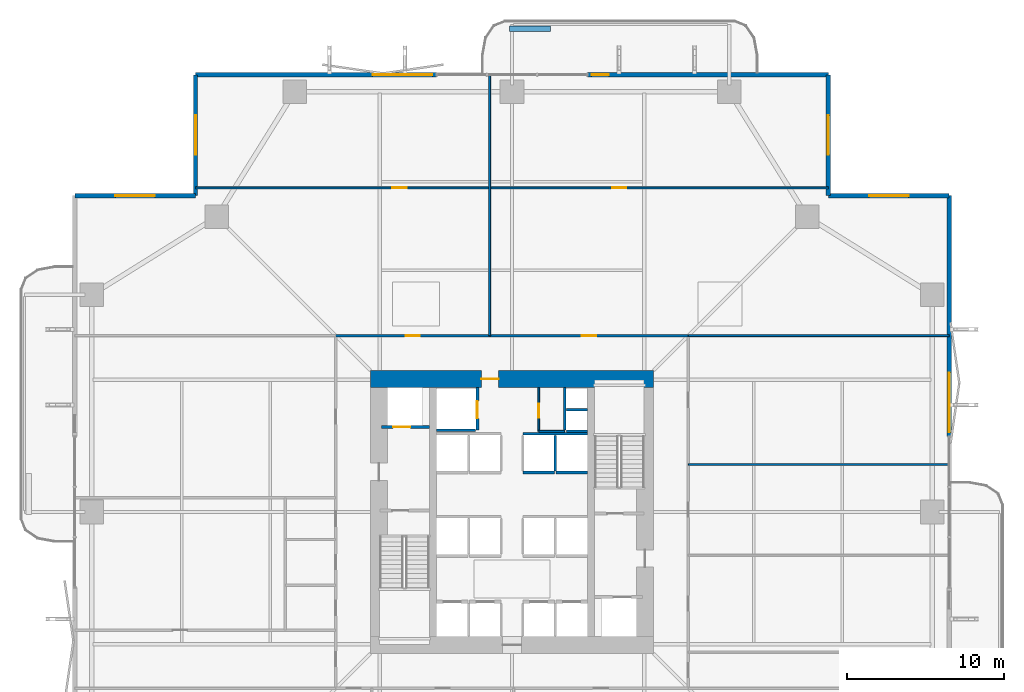
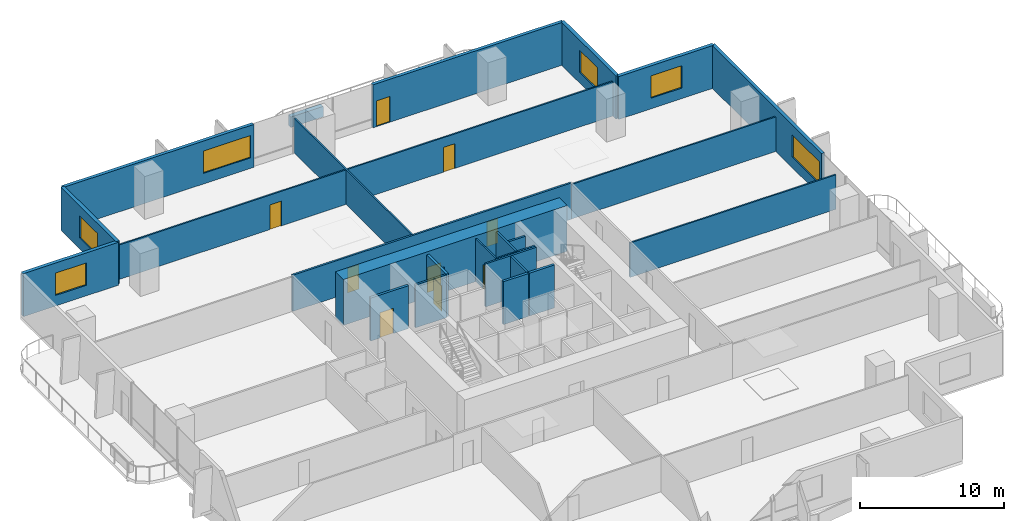
# One storey, part 19 of 23: 27 walls, 9 doors, 6 windows, 15 openings.
"""IFC4 building model written with IfcOpenShell, lengths in metres."""

from ifc_helpers import new_model, si_unit, direction, frame, frame_2d, origin, place, context, subcontext, project, spatial, rectangle, extrude, material, layer, layer_set, type_object, element, fill, save


model = new_model("IFC4")

# Units and contexts
model_context = context("Model", 3, precision=1e-05, world=origin(), true_north=direction((0.0, 1.0)))
body_context = subcontext(model_context, "Body", "Model", "MODEL_VIEW")
ifc_project = project(units=[si_unit("LENGTHUNIT", "METRE"), si_unit("AREAUNIT", "SQUARE_METRE"), si_unit("VOLUMEUNIT", "CUBIC_METRE"), si_unit("PLANEANGLEUNIT", "RADIAN"), si_unit("MASSUNIT", "GRAM", prefix="KILO")], contexts=[model_context])

# Site, building, storey
site_placement = place(None, origin())
site = spatial("IfcSite", under=ifc_project, at=site_placement, CompositionType="ELEMENT")
building_placement = place(site_placement, origin())
building = spatial("IfcBuilding", under=site, at=building_placement, Name="Belovzor Exchange Tower", CompositionType="ELEMENT")
storey_placement = place(building_placement, frame((0.0, 0.0, 76.800048828125)))
storey = spatial("IfcBuildingStorey", under=building, at=storey_placement, Name="L18", CompositionType="ELEMENT", Elevation=76.800048828125)

# Wall, opening, door
ifc_material_1 = material(Name="Acoustic Plasterboard on Galvanised Studs", Category="gypsum")
ifc_layer_1 = layer(ifc_material_1, 0.1201171875)
ifc_layer_set_1 = layer_set([ifc_layer_1], Name="Acoustic Plasterboard on Galvanised Studs")
wall_type_1 = type_object("IfcWallType", Name="Acoustic Double-Stud Partition Wall 120", PredefinedType="PARTITIONING", material=ifc_layer_set_1)
wall_1_placement = place(storey_placement, frame((8.699951171875, 49.387939453125, 0.0), z_axis=(0.0, 0.0, 1.0), x_axis=(1.0, 0.0, 0.0)))
wall_1 = element("IfcWall", 1, at=wall_1_placement, inside=storey, type_object=wall_type_1, Name="W-P120 Partition Wall W-L18-NHDIV-0", PredefinedType="PARTITIONING", context=body_context, shape_type="SweptSolid", body=[
    extrude(rectangle(XDim=18.676025390625, YDim=0.1201171875, at=frame_2d((9.337890625, 0.0))), origin(), (0.0, 0.0, 1.0), 2.93505859375),
])
opening_1_placement = place(wall_1_placement, frame((12.508056640625, 0.0, 0.0)))
opening_1 = element("IfcOpeningElement", 2, at=opening_1_placement, cuts=wall_1, Name="Opening D-INT-090", PredefinedType="OPENING", context=body_context, shape_type="SweptSolid", body=[
    extrude(rectangle(XDim=0.89990234375, YDim=2.10009765625, at=frame_2d((0.449951171875, 1.050048828125))), frame((0.0, 0.070068359375, 0.0), z_axis=(0.0, -1.0, 0.0), x_axis=(1.0, 0.0, 0.0)), (0.0, 0.0, 1.0), 0.14013671875),
])
ifc_material_2 = material(Name="Veneered Hardwood Acoustic Leaf", Category="wood")
door_type_1 = type_object("IfcDoorType", Name="Trading Suite Acoustic Single Door 900x2100", OperationType="NOTDEFINED", PredefinedType="DOOR", material=ifc_material_2)
door_1_placement = place(opening_1_placement, origin())
door_1 = element("IfcDoor", 3, at=door_1_placement, inside=storey, type_object=door_type_1, Name="D-INT-090 Trading Suite Acoustic Single Door 900x2100", OperationType="SINGLE_SWING_RIGHT", OverallHeight=2.10009765625, OverallWidth=0.89990234375, PredefinedType="DOOR", context=body_context, shape_type="SweptSolid", body=[
    extrude(rectangle(XDim=0.89990234375, YDim=2.10009765625, at=frame_2d((0.449951171875, 1.050048828125))), frame((0.0, 0.02490234375, 0.0), z_axis=(0.0, -1.0, 0.0), x_axis=(1.0, 0.0, 0.0)), (0.0, 0.0, 1.0), 0.050048828125),
])
fill(opening_1, door_1)

# Wall
wall_2_placement = place(storey_placement, frame((27.3759765625, 40.0, 0.0), z_axis=(0.0, 0.0, 1.0), x_axis=(0.0, 1.0, 0.0)))
element("IfcWall", 4, at=wall_2_placement, inside=storey, type_object=wall_type_1, Name="W-P120 Partition Wall W-L18-NDIV-1", PredefinedType="PARTITIONING", context=body_context, shape_type="SweptSolid", body=[
    extrude(rectangle(XDim=16.570068359375, YDim=0.1201171875, at=frame_2d((8.28515625, 0.0))), origin(), (0.0, 0.0, 1.0), 2.93505859375),
])

# Wall, opening, door
wall_3_placement = place(storey_placement, frame((27.3759765625, 49.387939453125, 0.0), z_axis=(0.0, 0.0, 1.0), x_axis=(1.0, 0.0, 0.0)))
wall_3 = element("IfcWall", 5, at=wall_3_placement, inside=storey, type_object=wall_type_1, Name="W-P120 Partition Wall W-L18-NHDIV-1", PredefinedType="PARTITIONING", context=body_context, shape_type="SweptSolid", body=[
    extrude(rectangle(XDim=21.52392578125, YDim=0.1201171875, at=frame_2d((10.761962890625, 0.0))), origin(), (0.0, 0.0, 1.0), 2.93505859375),
])
opening_2_placement = place(wall_3_placement, frame((7.783935546875, 0.0, 0.0)))
opening_2 = element("IfcOpeningElement", 6, at=opening_2_placement, cuts=wall_3, Name="Opening D-INT-090", PredefinedType="OPENING", context=body_context, shape_type="SweptSolid", body=[
    extrude(rectangle(XDim=0.89990234375, YDim=2.10009765625, at=frame_2d((0.449951171875, 1.050048828125))), frame((0.0, 0.070068359375, 0.0), z_axis=(0.0, -1.0, 0.0), x_axis=(1.0, 0.0, 0.0)), (0.0, 0.0, 1.0), 0.14013671875),
])
door_2_placement = place(opening_2_placement, origin())
door_2 = element("IfcDoor", 7, at=door_2_placement, inside=storey, type_object=door_type_1, Name="D-INT-090 Trading Suite Acoustic Single Door 900x2100", OperationType="SINGLE_SWING_RIGHT", OverallHeight=2.10009765625, OverallWidth=0.89990234375, PredefinedType="DOOR", context=body_context, shape_type="SweptSolid", body=[
    extrude(rectangle(XDim=0.89990234375, YDim=2.10009765625, at=frame_2d((0.449951171875, 1.050048828125))), frame((0.0, 0.02490234375, 0.0), z_axis=(0.0, -1.0, 0.0), x_axis=(1.0, 0.0, 0.0)), (0.0, 0.0, 1.0), 0.050048828125),
])
fill(opening_2, door_2)

# Walls
for number, where, z_axis, x_axis, name in (
    (8, (40.0, 40.0, 0.0), (0.0, 0.0, 1.0), (1.0, 0.0, 0.0), "W-P120 Partition Wall W-L18-END-NE"),
    (9, (40.0, 31.819091796875, 0.0), (0.0, 0.0, 1.0), (1.0, 0.0, 0.0), "W-P120 Partition Wall W-L18-EDIV-3"),
):
    element("IfcWall", number, at=place(storey_placement, frame(where, z_axis=z_axis, x_axis=x_axis)), inside=storey, type_object=wall_type_1, Name=name, PredefinedType="PARTITIONING", context=body_context, shape_type="SweptSolid", body=[
        extrude(rectangle(XDim=16.570068359375, YDim=0.1201171875, at=frame_2d((8.28515625, 0.0))), origin(), (0.0, 0.0, 1.0), 2.93505859375),
    ])

# Wall, opening, door
ifc_material_3 = material(Name="Fire-Rated Plasterboard on Galvanised Studs", Category="gypsum")
ifc_layer_2 = layer(ifc_material_3, 0.1201171875)
ifc_layer_set_2 = layer_set([ifc_layer_2], Name="Fire-Rated Plasterboard on Galvanised Studs")
wall_type_2 = type_object("IfcWallType", Name="Fire-Rated Double-Stud Partition Wall 120", PredefinedType="PARTITIONING", material=ifc_layer_set_2)
wall_4_placement = place(storey_placement, frame((30.5, 33.925048828125, 0.0), z_axis=(0.0, 0.0, 1.0), x_axis=(0.0, 1.0, 0.0)))
wall_4 = element("IfcWall", 10, at=wall_4_placement, inside=storey, type_object=wall_type_2, Name="W-P120F Partition Wall W-CRV-L18-W", PredefinedType="PARTITIONING", context=body_context, shape_type="SweptSolid", body=[
    extrude(rectangle(XDim=2.77490234375, YDim=0.1201171875, at=frame_2d((1.387451171875, 0.0))), origin(), (0.0, 0.0, 1.0), 3.64990234375),
])
opening_3_placement = place(wall_4_placement, frame((0.85009765625, 0.0, 0.0)))
opening_3 = element("IfcOpeningElement", 11, at=opening_3_placement, cuts=wall_4, Name="Opening D-FD60-090", PredefinedType="OPENING", context=body_context, shape_type="SweptSolid", body=[
    extrude(rectangle(XDim=0.89990234375, YDim=2.10009765625, at=frame_2d((0.449951171875, 1.050048828125))), frame((0.0, 0.070068359375, 0.0), z_axis=(0.0, -1.0, 0.0), x_axis=(1.0, 0.0, 0.0)), (0.0, 0.0, 1.0), 0.14013671875),
])
ifc_material_4 = material(Name="Acoustic Timber Fire Leaf", Category="wood")
door_type_2 = type_object("IfcDoorType", Name="Core Service & Restroom Fire Door 900x2100", OperationType="NOTDEFINED", PredefinedType="DOOR", material=ifc_material_4)
door_3_placement = place(opening_3_placement, origin())
door_3 = element("IfcDoor", 12, at=door_3_placement, inside=storey, type_object=door_type_2, Name="D-FD60-090 Core Service & Restroom Fire Door 900x2100", OperationType="SINGLE_SWING_LEFT", OverallHeight=2.10009765625, OverallWidth=0.89990234375, PredefinedType="DOOR", context=body_context, shape_type="SweptSolid", body=[
    extrude(rectangle(XDim=0.89990234375, YDim=2.10009765625, at=frame_2d((0.449951171875, 1.050048828125))), frame((0.0, 0.02490234375, 0.0), z_axis=(0.0, -1.0, 0.0), x_axis=(1.0, 0.0, 0.0)), (0.0, 0.0, 1.0), 0.050048828125),
])
fill(opening_3, door_3)

# Wall
wall_5_placement = place(storey_placement, frame((30.5, 33.925048828125, 0.0), z_axis=(0.0, 0.0, 1.0), x_axis=(1.0, 0.0, 0.0)))
element("IfcWall", 13, at=wall_5_placement, inside=storey, type_object=wall_type_2, Name="W-P120F Partition Wall W-CRV-L18-S", PredefinedType="PARTITIONING", context=body_context, shape_type="SweptSolid", body=[
    extrude(rectangle(XDim=1.64990234375, YDim=0.1201171875, at=frame_2d((0.824951171875, 0.0))), origin(), (0.0, 0.0, 1.0), 3.64990234375),
])

# Wall, openings, doors
ifc_material_5 = material(Name="Fire-Rated Gypsum Block and Mineral Wool", Category="gypsum")
ifc_layer_3 = layer(ifc_material_5, 0.14990234375)
ifc_layer_set_3 = layer_set([ifc_layer_3], Name="Fire-Rated Gypsum Block and Mineral Wool")
wall_type_3 = type_object("IfcWallType", Name="Fire-Rated Gypsum Block Corridor Wall 150", PredefinedType="PARTITIONING", material=ifc_layer_set_3)
wall_6_placement = place(storey_placement, frame((17.60009765625, 40.0, 0.0), z_axis=(0.0, 0.0, 1.0), x_axis=(1.0, 0.0, 0.0)))
wall_6 = element("IfcWall", 14, at=wall_6_placement, inside=storey, type_object=wall_type_3, Name="W-P150 Partition Wall W-L18-CN", PredefinedType="PARTITIONING", context=body_context, shape_type="SweptSolid", body=[
    extrude(rectangle(XDim=22.39990234375, YDim=0.14990234375, at=frame_2d((11.199951171875, 0.0))), origin(), (0.0, 0.0, 1.0), 3.0849609375),
])
opening_4_placement = place(wall_6_placement, frame((4.43798828125, 0.0, 0.0)))
opening_4 = element("IfcOpeningElement", 15, at=opening_4_placement, cuts=wall_6, Name="Opening D-INT-090", PredefinedType="OPENING", context=body_context, shape_type="SweptSolid", body=[
    extrude(rectangle(XDim=0.89990234375, YDim=2.10009765625, at=frame_2d((0.449951171875, 1.050048828125))), frame((0.0, 0.0849609375, 0.0), z_axis=(0.0, -1.0, 0.0), x_axis=(1.0, 0.0, 0.0)), (0.0, 0.0, 1.0), 0.169921875),
])
opening_5_placement = place(wall_6_placement, frame((15.637939453125, 0.0, 0.0)))
opening_5 = element("IfcOpeningElement", 16, at=opening_5_placement, cuts=wall_6, Name="Opening D-INT-090", PredefinedType="OPENING", context=body_context, shape_type="SweptSolid", body=[
    extrude(rectangle(XDim=0.89990234375, YDim=2.10009765625, at=frame_2d((0.449951171875, 1.050048828125))), frame((0.0, 0.0849609375, 0.0), z_axis=(0.0, -1.0, 0.0), x_axis=(1.0, 0.0, 0.0)), (0.0, 0.0, 1.0), 0.169921875),
])
door_4_placement = place(opening_4_placement, origin())
door_4 = element("IfcDoor", 17, at=door_4_placement, inside=storey, type_object=door_type_1, Name="D-INT-090 Trading Suite Acoustic Single Door 900x2100", OperationType="SINGLE_SWING_LEFT", OverallHeight=2.10009765625, OverallWidth=0.89990234375, PredefinedType="DOOR", context=body_context, shape_type="SweptSolid", body=[
    extrude(rectangle(XDim=0.89990234375, YDim=2.10009765625, at=frame_2d((0.449951171875, 1.050048828125))), frame((0.0, 0.02490234375, 0.0), z_axis=(0.0, -1.0, 0.0), x_axis=(1.0, 0.0, 0.0)), (0.0, 0.0, 1.0), 0.050048828125),
])
fill(opening_4, door_4)
door_5_placement = place(opening_5_placement, origin())
door_5 = element("IfcDoor", 18, at=door_5_placement, inside=storey, type_object=door_type_1, Name="D-INT-090 Trading Suite Acoustic Single Door 900x2100", OperationType="SINGLE_SWING_RIGHT", OverallHeight=2.10009765625, OverallWidth=0.89990234375, PredefinedType="DOOR", context=body_context, shape_type="SweptSolid", body=[
    extrude(rectangle(XDim=0.89990234375, YDim=2.10009765625, at=frame_2d((0.449951171875, 1.050048828125))), frame((0.0, 0.02490234375, 0.0), z_axis=(0.0, -1.0, 0.0), x_axis=(1.0, 0.0, 0.0)), (0.0, 0.0, 1.0), 0.050048828125),
])
fill(opening_5, door_5)

# Wall, opening, window
ifc_material_6 = material(Name="Precast concrete C40/50", Category="concrete")
ifc_layer_4 = layer(ifc_material_6, 0.280029296875)
ifc_layer_set_4 = layer_set([ifc_layer_4], Name="Precast concrete C40/50")
wall_type_4 = type_object("IfcWallType", Name="Precast Concrete Notched Corner Frame Wall 280", PredefinedType="SOLIDWALL", material=ifc_layer_set_4)
wall_7_placement = place(storey_placement, frame((1.030029296875, 48.89990234375, 0.0), z_axis=(0.0, 0.0, 1.0), x_axis=(1.0, 0.0, 0.0)))
wall_7 = element("IfcWall", 19, at=wall_7_placement, inside=storey, type_object=wall_type_4, Name="W-CRN280 Precast Concrete Notched Corner Frame Wall 280 L18", PredefinedType="SOLIDWALL", context=body_context, shape_type="SweptSolid", body=[
    extrude(rectangle(XDim=7.669921875, YDim=0.280029296875, at=frame_2d((3.8349609375, 0.0))), origin(), (0.0, 0.0, 1.0), 3.64990234375),
])
opening_6_placement = place(wall_7_placement, frame((2.5849609375, 0.0, 0.89990234375)))
opening_6 = element("IfcOpeningElement", 20, at=opening_6_placement, cuts=wall_7, Name="Opening WN-CRN250", PredefinedType="OPENING", context=body_context, shape_type="SweptSolid", body=[
    extrude(rectangle(XDim=2.5, YDim=1.89990234375, at=frame_2d((1.25, 0.949951171875))), frame((0.0, 0.14990234375, 0.0), z_axis=(0.0, -1.0, 0.0), x_axis=(1.0, 0.0, 0.0)), (0.0, 0.0, 1.0), 0.300048828125),
])
ifc_material_7 = material(Name="Thermally Broken Aluminium and Triple Glazing", Category="aluminium")
window_type_1 = type_object("IfcWindowType", Name="Streamline Moderne Corner Wrap Ribbon Window 2500x1900", PartitioningType="SINGLE_PANEL", PredefinedType="WINDOW", material=ifc_material_7)
window_1_placement = place(opening_6_placement, origin())
window_1 = element("IfcWindow", 21, at=window_1_placement, inside=storey, type_object=window_type_1, Name="WN-CRN250 Streamline Moderne Corner Wrap Ribbon Window 2500x1900", OverallHeight=1.89990234375, OverallWidth=2.5, PartitioningType="SINGLE_PANEL", PredefinedType="WINDOW", context=body_context, shape_type="SweptSolid", body=[
    extrude(rectangle(XDim=2.5, YDim=1.89990234375, at=frame_2d((1.25, 0.949951171875))), frame((0.0, 0.030029296875, 0.0), z_axis=(0.0, -1.0, 0.0), x_axis=(1.0, 0.0, 0.0)), (0.0, 0.0, 1.0), 0.06005859375),
])
fill(opening_6, window_1)

wall_8_placement = place(storey_placement, frame((8.699951171875, 48.89990234375, 0.0), z_axis=(0.0, 0.0, 1.0), x_axis=(0.0, 1.0, 0.0)))
wall_8 = element("IfcWall", 22, at=wall_8_placement, inside=storey, type_object=wall_type_4, Name="W-CRN280 Precast Concrete Notched Corner Frame Wall 280 L18", PredefinedType="SOLIDWALL", context=body_context, shape_type="SweptSolid", body=[
    extrude(rectangle(XDim=7.670166015625, YDim=0.280029296875, at=frame_2d((3.8349609375, 0.0))), origin(), (0.0, 0.0, 1.0), 3.64990234375),
])
opening_7_placement = place(wall_8_placement, frame((2.5849609375, 0.0, 0.89990234375)))
opening_7 = element("IfcOpeningElement", 23, at=opening_7_placement, cuts=wall_8, Name="Opening WN-CRN250", PredefinedType="OPENING", context=body_context, shape_type="SweptSolid", body=[
    extrude(rectangle(XDim=2.5, YDim=1.89990234375, at=frame_2d((1.25, 0.949951171875))), frame((0.0, 0.14990234375, 0.0), z_axis=(0.0, -1.0, 0.0), x_axis=(1.0, 0.0, 0.0)), (0.0, 0.0, 1.0), 0.300048828125),
])
window_2_placement = place(opening_7_placement, origin())
window_2 = element("IfcWindow", 24, at=window_2_placement, inside=storey, type_object=window_type_1, Name="WN-CRN250 Streamline Moderne Corner Wrap Ribbon Window 2500x1900", OverallHeight=1.89990234375, OverallWidth=2.5, PartitioningType="SINGLE_PANEL", PredefinedType="WINDOW", context=body_context, shape_type="SweptSolid", body=[
    extrude(rectangle(XDim=2.5, YDim=1.89990234375, at=frame_2d((1.25, 0.949951171875))), frame((0.0, 0.030029296875, 0.0), z_axis=(0.0, -1.0, 0.0), x_axis=(1.0, 0.0, 0.0)), (0.0, 0.0, 1.0), 0.06005859375),
])
fill(opening_7, window_2)

wall_9_placement = place(storey_placement, frame((48.89990234375, 56.570068359375, 0.0), z_axis=(0.0, 0.0, 1.0), x_axis=(0.0, -1.0, 0.0)))
wall_9 = element("IfcWall", 25, at=wall_9_placement, inside=storey, type_object=wall_type_4, Name="W-CRN280 Precast Concrete Notched Corner Frame Wall 280 L18", PredefinedType="SOLIDWALL", context=body_context, shape_type="SweptSolid", body=[
    extrude(rectangle(XDim=7.670166015625, YDim=0.280029296875, at=frame_2d((3.8349609375, 0.0))), origin(), (0.0, 0.0, 1.0), 3.64990234375),
])
opening_8_placement = place(wall_9_placement, frame((2.5849609375, 0.0, 0.89990234375)))
opening_8 = element("IfcOpeningElement", 26, at=opening_8_placement, cuts=wall_9, Name="Opening WN-CRN250", PredefinedType="OPENING", context=body_context, shape_type="SweptSolid", body=[
    extrude(rectangle(XDim=2.5, YDim=1.89990234375, at=frame_2d((1.25, 0.949951171875))), frame((0.0, 0.14990234375, 0.0), z_axis=(0.0, -1.0, 0.0), x_axis=(1.0, 0.0, 0.0)), (0.0, 0.0, 1.0), 0.300048828125),
])
window_3_placement = place(opening_8_placement, origin())
window_3 = element("IfcWindow", 27, at=window_3_placement, inside=storey, type_object=window_type_1, Name="WN-CRN250 Streamline Moderne Corner Wrap Ribbon Window 2500x1900", OverallHeight=1.89990234375, OverallWidth=2.5, PartitioningType="SINGLE_PANEL", PredefinedType="WINDOW", context=body_context, shape_type="SweptSolid", body=[
    extrude(rectangle(XDim=2.5, YDim=1.89990234375, at=frame_2d((1.25, 0.949951171875))), frame((0.0, 0.030029296875, 0.0), z_axis=(0.0, -1.0, 0.0), x_axis=(1.0, 0.0, 0.0)), (0.0, 0.0, 1.0), 0.06005859375),
])
fill(opening_8, window_3)

wall_10_placement = place(storey_placement, frame((48.89990234375, 48.89990234375, 0.0), z_axis=(0.0, 0.0, 1.0), x_axis=(1.0, 0.0, 0.0)))
wall_10 = element("IfcWall", 28, at=wall_10_placement, inside=storey, type_object=wall_type_4, Name="W-CRN280 Precast Concrete Notched Corner Frame Wall 280 L18", PredefinedType="SOLIDWALL", context=body_context, shape_type="SweptSolid", body=[
    extrude(rectangle(XDim=7.670166015625, YDim=0.280029296875, at=frame_2d((3.8349609375, 0.0))), origin(), (0.0, 0.0, 1.0), 3.64990234375),
])
opening_9_placement = place(wall_10_placement, frame((2.5849609375, 0.0, 0.89990234375)))
opening_9 = element("IfcOpeningElement", 29, at=opening_9_placement, cuts=wall_10, Name="Opening WN-CRN250", PredefinedType="OPENING", context=body_context, shape_type="SweptSolid", body=[
    extrude(rectangle(XDim=2.5, YDim=1.89990234375, at=frame_2d((1.25, 0.949951171875))), frame((0.0, 0.14990234375, 0.0), z_axis=(0.0, -1.0, 0.0), x_axis=(1.0, 0.0, 0.0)), (0.0, 0.0, 1.0), 0.300048828125),
])
window_4_placement = place(opening_9_placement, origin())
window_4 = element("IfcWindow", 30, at=window_4_placement, inside=storey, type_object=window_type_1, Name="WN-CRN250 Streamline Moderne Corner Wrap Ribbon Window 2500x1900", OverallHeight=1.89990234375, OverallWidth=2.5, PartitioningType="SINGLE_PANEL", PredefinedType="WINDOW", context=body_context, shape_type="SweptSolid", body=[
    extrude(rectangle(XDim=2.5, YDim=1.89990234375, at=frame_2d((1.25, 0.949951171875))), frame((0.0, 0.030029296875, 0.0), z_axis=(0.0, -1.0, 0.0), x_axis=(1.0, 0.0, 0.0)), (0.0, 0.0, 1.0), 0.06005859375),
])
fill(opening_9, window_4)

ifc_material_8 = material(Name="Precast concrete C40/50", Category="concrete")
ifc_layer_5 = layer(ifc_material_8, 0.260009765625)
ifc_layer_set_5 = layer_set([ifc_layer_5], Name="Precast concrete C40/50")
wall_type_5 = type_object("IfcWallType", Name="Precast Concrete Perimeter Loggia Frame Wall 260", PredefinedType="SOLIDWALL", material=ifc_layer_set_5)
wall_11_placement = place(storey_placement, frame((8.699951171875, 56.570068359375, 0.0), z_axis=(0.0, 0.0, 1.0), x_axis=(1.0, 0.0, 0.0)))
wall_11 = element("IfcWall", 31, at=wall_11_placement, inside=storey, type_object=wall_type_5, Name="W-EXT260 Precast Concrete Perimeter Loggia Frame Wall 260 L18", PredefinedType="SOLIDWALL", context=body_context, shape_type="SweptSolid", body=[
    extrude(rectangle(XDim=15.300048828125, YDim=0.260009765625, at=frame_2d((7.64990234375, 0.0))), origin(), (0.0, 0.0, 1.0), 3.64990234375),
])
opening_10_placement = place(wall_11_placement, frame((11.25, 0.0, 0.89990234375)))
opening_10 = element("IfcOpeningElement", 32, at=opening_10_placement, cuts=wall_11, Name="Opening WN-RIB380", PredefinedType="OPENING", context=body_context, shape_type="SweptSolid", body=[
    extrude(rectangle(XDim=3.800048828125, YDim=1.89990234375, at=frame_2d((1.89990234375, 0.949951171875))), frame((0.0, 0.139892578125, 0.0), z_axis=(0.0, -1.0, 0.0), x_axis=(1.0, 0.0, 0.0)), (0.0, 0.0, 1.0), 0.280029296875),
])
ifc_material_9 = material(Name="Thermally Broken Aluminium and Triple Glazing", Category="aluminium")
window_type_2 = type_object("IfcWindowType", Name="Streamline Moderne Horizontal Ribbon Window 3800x1900", PartitioningType="SINGLE_PANEL", PredefinedType="WINDOW", material=ifc_material_9)
window_5_placement = place(opening_10_placement, origin())
window_5 = element("IfcWindow", 33, at=window_5_placement, inside=storey, type_object=window_type_2, Name="WN-RIB380 Streamline Moderne Horizontal Ribbon Window 3800x1900", OverallHeight=1.89990234375, OverallWidth=3.800048828125, PartitioningType="SINGLE_PANEL", PredefinedType="WINDOW", context=body_context, shape_type="SweptSolid", body=[
    extrude(rectangle(XDim=3.800048828125, YDim=1.89990234375, at=frame_2d((1.89990234375, 0.949951171875))), frame((0.0, 0.030029296875, 0.0), z_axis=(0.0, -1.0, 0.0), x_axis=(1.0, 0.0, 0.0)), (0.0, 0.0, 1.0), 0.06005859375),
])
fill(opening_10, window_5)

# Wall, opening, door
wall_12_placement = place(storey_placement, frame((33.60009765625, 56.570068359375, 0.0), z_axis=(0.0, 0.0, 1.0), x_axis=(1.0, 0.0, 0.0)))
wall_12 = element("IfcWall", 34, at=wall_12_placement, inside=storey, type_object=wall_type_5, Name="W-EXT260 Precast Concrete Perimeter Loggia Frame Wall 260 L18", PredefinedType="SOLIDWALL", context=body_context, shape_type="SweptSolid", body=[
    extrude(rectangle(XDim=15.2998046875, YDim=0.260009765625, at=frame_2d((7.64990234375, 0.0))), origin(), (0.0, 0.0, 1.0), 3.64990234375),
])
opening_11_placement = place(wall_12_placement, frame((0.25, 0.0, 0.0)))
opening_11 = element("IfcOpeningElement", 35, at=opening_11_placement, cuts=wall_12, Name="Opening D-BAL110", PredefinedType="OPENING", context=body_context, shape_type="SweptSolid", body=[
    extrude(rectangle(XDim=1.10009765625, YDim=2.199951171875, at=frame_2d((0.550048828125, 1.10009765625))), frame((0.0, 0.139892578125, 0.0), z_axis=(0.0, -1.0, 0.0), x_axis=(1.0, 0.0, 0.0)), (0.0, 0.0, 1.0), 0.280029296875),
])
ifc_material_10 = material(Name="Thermally Broken Anodised Aluminium and Laminated Glass", Category="aluminium")
door_type_3 = type_object("IfcDoorType", Name="Planted Loggia Terrace Glazed Door 1100x2200", OperationType="SINGLE_SWING_LEFT", PredefinedType="DOOR", material=ifc_material_10)
door_6_placement = place(opening_11_placement, origin())
door_6 = element("IfcDoor", 36, at=door_6_placement, inside=storey, type_object=door_type_3, Name="D-BAL110 Balcony Terrace Door L18 N", OperationType="SINGLE_SWING_RIGHT", OverallHeight=2.199951171875, OverallWidth=1.10009765625, PredefinedType="DOOR", context=body_context, shape_type="SweptSolid", body=[
    extrude(rectangle(XDim=1.10009765625, YDim=2.199951171875, at=frame_2d((0.550048828125, 1.10009765625))), frame((0.0, 0.02490234375, 0.0), z_axis=(0.0, -1.0, 0.0), x_axis=(1.0, 0.0, 0.0)), (0.0, 0.0, 1.0), 0.050048828125),
])
fill(opening_11, door_6)

# Wall, opening, window
wall_13_placement = place(storey_placement, frame((56.570068359375, 48.89990234375, 0.0), z_axis=(0.0, 0.0, 1.0), x_axis=(0.0, -1.0, 0.0)))
wall_13 = element("IfcWall", 37, at=wall_13_placement, inside=storey, type_object=wall_type_5, Name="W-EXT260 Precast Concrete Perimeter Loggia Frame Wall 260 L18", PredefinedType="SOLIDWALL", context=body_context, shape_type="SweptSolid", body=[
    extrude(rectangle(XDim=15.2998046875, YDim=0.260009765625, at=frame_2d((7.64990234375, 0.0))), origin(), (0.0, 0.0, 1.0), 3.64990234375),
])
opening_12_placement = place(wall_13_placement, frame((11.25, 0.0, 0.89990234375)))
opening_12 = element("IfcOpeningElement", 38, at=opening_12_placement, cuts=wall_13, Name="Opening WN-RIB380", PredefinedType="OPENING", context=body_context, shape_type="SweptSolid", body=[
    extrude(rectangle(XDim=3.800048828125, YDim=1.89990234375, at=frame_2d((1.89990234375, 0.949951171875))), frame((0.0, 0.139892578125, 0.0), z_axis=(0.0, -1.0, 0.0), x_axis=(1.0, 0.0, 0.0)), (0.0, 0.0, 1.0), 0.280029296875),
])
window_6_placement = place(opening_12_placement, origin())
window_6 = element("IfcWindow", 39, at=window_6_placement, inside=storey, type_object=window_type_2, Name="WN-RIB380 Streamline Moderne Horizontal Ribbon Window 3800x1900", OverallHeight=1.89990234375, OverallWidth=3.800048828125, PartitioningType="SINGLE_PANEL", PredefinedType="WINDOW", context=body_context, shape_type="SweptSolid", body=[
    extrude(rectangle(XDim=3.800048828125, YDim=1.89990234375, at=frame_2d((1.89990234375, 0.949951171875))), frame((0.0, 0.030029296875, 0.0), z_axis=(0.0, -1.0, 0.0), x_axis=(1.0, 0.0, 0.0)), (0.0, 0.0, 1.0), 0.06005859375),
])
fill(opening_12, window_6)

# Walls
ifc_material_11 = material(Name="Precast concrete C40/50", Category="concrete")
ifc_layer_6 = layer(ifc_material_11, 0.35009765625)
ifc_layer_set_6 = layer_set([ifc_layer_6], Name="Precast concrete C40/50")
wall_type_6 = type_object("IfcWallType", Name="Precast Concrete Structural Tree Planter Trough 350", PredefinedType="PARAPET", material=ifc_layer_set_6)
wall_14_placement = place(storey_placement, frame((28.64990234375, 59.5, 0.0), z_axis=(0.0, 0.0, 1.0), x_axis=(1.0, 0.0, 0.0)))
element("IfcWall", 40, at=wall_14_placement, inside=storey, type_object=wall_type_6, Name="PT-350 Precast Concrete Structural Tree Planter Trough 350 L18", PredefinedType="PARAPET", context=body_context, shape_type="SweptSolid", body=[
    extrude(rectangle(XDim=2.60009765625, YDim=0.35009765625, at=frame_2d((1.300048828125, 0.0))), origin(), (0.0, 0.0, 1.0), 0.89990234375),
])
ifc_material_12 = material(Name="Concrete C50/60", Category="concrete")
ifc_layer_7 = layer(ifc_material_12, 0.14990234375)
ifc_layer_set_7 = layer_set([ifc_layer_7], Name="Concrete C50/60")
wall_type_7 = type_object("IfcWallType", Name="Reinforced Concrete Core Riser Shear Wall 150", PredefinedType="SHEAR", material=ifc_layer_set_7)
wall_15_placement = place(storey_placement, frame((32.14990234375, 34.0, 0.0), z_axis=(0.0, 0.0, 1.0), x_axis=(0.0, 1.0, 0.0)))
element("IfcWall", 41, at=wall_15_placement, inside=storey, type_object=wall_type_7, Name="W-C150S Core Shaft Wall W-RSR-L18-E", PredefinedType="SHEAR", context=body_context, shape_type="SweptSolid", body=[
    extrude(rectangle(XDim=2.699951171875, YDim=0.14990234375, at=frame_2d((1.35009765625, 0.0))), origin(), (0.0, 0.0, 1.0), 3.64990234375),
])
for number, where, z_axis, x_axis, name in (
    (42, (32.25, 33.925048828125, 0.0), (0.0, 0.0, 1.0), (1.0, 0.0, 0.0), "W-C150S Core Shaft Wall W-RSR-L18-S"),
    (43, (32.25, 35.300048828125, 0.0), (0.0, 0.0, 1.0), (1.0, 0.0, 0.0), "W-C150S Core Shaft Wall W-RSR-L18-M"),
):
    element("IfcWall", number, at=place(storey_placement, frame(where, z_axis=z_axis, x_axis=x_axis)), inside=storey, type_object=wall_type_7, Name=name, PredefinedType="SHEAR", context=body_context, shape_type="SweptSolid", body=[
        extrude(rectangle(XDim=1.330078125, YDim=0.14990234375, at=frame_2d((0.6650390625, 0.0))), origin(), (0.0, 0.0, 1.0), 3.64990234375),
    ])
wall_16_placement = place(storey_placement, frame((24.0, 34.0, 0.0), z_axis=(0.0, 0.0, 1.0), x_axis=(1.0, 0.0, 0.0)))
element("IfcWall", 44, at=wall_16_placement, inside=storey, type_object=wall_type_7, Name="W-C150S Core Shaft Wall W-SH-L18-SL-01S", PredefinedType="SHEAR", context=body_context, shape_type="SweptSolid", body=[
    extrude(rectangle(XDim=2.47998046875, YDim=0.14990234375, at=frame_2d((1.239990234375, 0.0))), origin(), (0.0, 0.0, 1.0), 3.64990234375),
])
wall_17_placement = place(storey_placement, frame((29.5, 33.760009765625, 0.0), z_axis=(0.0, 0.0, 1.0), x_axis=(1.0, 0.0, 0.0)))
element("IfcWall", 45, at=wall_17_placement, inside=storey, type_object=wall_type_7, Name="W-C150S Core Shaft Wall W-SHB-L18-PLH-NE", PredefinedType="SHEAR", context=body_context, shape_type="SweptSolid", body=[
    extrude(rectangle(XDim=4.080078125, YDim=0.14990234375, at=frame_2d((2.0400390625, 0.0))), origin(), (0.0, 0.0, 1.0), 3.64990234375),
])
wall_18_placement = place(storey_placement, frame((31.550048828125, 31.419921875, 0.0), z_axis=(0.0, 0.0, 1.0), x_axis=(0.0, 1.0, 0.0)))
element("IfcWall", 46, at=wall_18_placement, inside=storey, type_object=wall_type_7, Name="W-C150S Core Shaft Wall W-SHD-L18-PLH-4", PredefinedType="SHEAR", context=body_context, shape_type="SweptSolid", body=[
    extrude(rectangle(XDim=2.239990234375, YDim=0.14990234375, at=frame_2d((1.1201171875, 0.0))), origin(), (0.0, 0.0, 1.0), 3.64990234375),
])

# Wall, opening, door
ifc_material_13 = material(Name="Concrete C50/60", Category="concrete")
ifc_layer_8 = layer(ifc_material_13, 0.199951171875)
ifc_layer_set_8 = layer_set([ifc_layer_8], Name="Concrete C50/60")
wall_type_8 = type_object("IfcWallType", Name="Reinforced Concrete Core Shaft Shear Wall 200", PredefinedType="SHEAR", material=ifc_layer_set_8)
wall_19_placement = place(storey_placement, frame((20.5, 34.199951171875, 0.0), z_axis=(0.0, 0.0, 1.0), x_axis=(1.0, 0.0, 0.0)))
wall_19 = element("IfcWall", 47, at=wall_19_placement, inside=storey, type_object=wall_type_8, Name="W-C200S Core Shaft Wall W-SH-L18-FFL-01", PredefinedType="SHEAR", context=body_context, shape_type="SweptSolid", body=[
    extrude(rectangle(XDim=3.050048828125, YDim=0.199951171875, at=frame_2d((1.52490234375, 0.0))), origin(), (0.0, 0.0, 1.0), 3.64990234375),
])
opening_13_placement = place(wall_19_placement, frame((0.75, 0.0, 0.0)))
opening_13 = element("IfcOpeningElement", 48, at=opening_13_placement, cuts=wall_19, Name="Opening LD-110", PredefinedType="OPENING", context=body_context, shape_type="SweptSolid", body=[
    extrude(rectangle(XDim=1.10009765625, YDim=2.14990234375, at=frame_2d((0.550048828125, 1.074951171875))), frame((0.0, 0.10986328125, 0.0), z_axis=(0.0, -1.0, 0.0), x_axis=(1.0, 0.0, 0.0)), (0.0, 0.0, 1.0), 0.219970703125),
])
ifc_material_14 = material(Name="Stainless Steel Grade 304", Category="steel")
door_type_4 = type_object("IfcDoorType", Name="Automated Stainless Steel Lift Landing Door 1100x2150", OperationType="SLIDING_TO_RIGHT", PredefinedType="DOOR", material=ifc_material_14)
door_7_placement = place(opening_13_placement, origin())
door_7 = element("IfcDoor", 49, at=door_7_placement, inside=storey, type_object=door_type_4, Name="LD-110 Automated Stainless Steel Lift Landing Door 1100x2150", OperationType="SLIDING_TO_RIGHT", OverallHeight=2.14990234375, OverallWidth=1.10009765625, PredefinedType="DOOR", context=body_context, shape_type="SweptSolid", body=[
    extrude(rectangle(XDim=1.10009765625, YDim=2.14990234375, at=frame_2d((0.550048828125, 1.074951171875))), frame((0.0, 0.02490234375, 0.0), z_axis=(0.0, -1.0, 0.0), x_axis=(1.0, 0.0, 0.0)), (0.0, 0.0, 1.0), 0.050048828125),
])
fill(opening_13, door_7)

wall_20_placement = place(storey_placement, frame((26.60009765625, 34.0, 0.0), z_axis=(0.0, 0.0, 1.0), x_axis=(0.0, 1.0, 0.0)))
wall_20 = element("IfcWall", 50, at=wall_20_placement, inside=storey, type_object=wall_type_8, Name="W-C200S Core Shaft Wall W-SH-L18-SL-01", PredefinedType="SHEAR", context=body_context, shape_type="SweptSolid", body=[
    extrude(rectangle(XDim=2.699951171875, YDim=0.199951171875, at=frame_2d((1.35009765625, 0.0))), origin(), (0.0, 0.0, 1.0), 3.64990234375),
])
opening_14_placement = place(wall_20_placement, frame((0.75, 0.0, 0.0)))
opening_14 = element("IfcOpeningElement", 51, at=opening_14_placement, cuts=wall_20, Name="Opening LD-110", PredefinedType="OPENING", context=body_context, shape_type="SweptSolid", body=[
    extrude(rectangle(XDim=1.10009765625, YDim=2.14990234375, at=frame_2d((0.550048828125, 1.074951171875))), frame((0.0, 0.10986328125, 0.0), z_axis=(0.0, -1.0, 0.0), x_axis=(1.0, 0.0, 0.0)), (0.0, 0.0, 1.0), 0.219970703125),
])
door_8_placement = place(opening_14_placement, origin())
door_8 = element("IfcDoor", 52, at=door_8_placement, inside=storey, type_object=door_type_4, Name="LD-110 Automated Stainless Steel Lift Landing Door 1100x2150", OperationType="SLIDING_TO_RIGHT", OverallHeight=2.14990234375, OverallWidth=1.10009765625, PredefinedType="DOOR", context=body_context, shape_type="SweptSolid", body=[
    extrude(rectangle(XDim=1.10009765625, YDim=2.14990234375, at=frame_2d((0.550048828125, 1.074951171875))), frame((0.0, 0.02490234375, 0.0), z_axis=(0.0, -1.0, 0.0), x_axis=(1.0, 0.0, 0.0)), (0.0, 0.0, 1.0), 0.050048828125),
])
fill(opening_14, door_8)

# Walls
for number, where, z_axis, x_axis, name in (
    (53, (29.5, 31.300048828125, 0.0), (0.0, 0.0, 1.0), (1.0, 0.0, 0.0), "W-C200S Core Shaft Wall W-SH-L18-PL-H3"),
    (54, (31.60009765625, 31.300048828125, 0.0), (0.0, 0.0, 1.0), (1.0, 0.0, 0.0), "W-C200S Core Shaft Wall W-SH-L18-PL-H4"),
):
    element("IfcWall", number, at=place(storey_placement, frame(where, z_axis=z_axis, x_axis=x_axis)), inside=storey, type_object=wall_type_8, Name=name, PredefinedType="SHEAR", context=body_context, shape_type="SweptSolid", body=[
        extrude(rectangle(XDim=2.0, YDim=0.199951171875, at=frame_2d((1.0, 0.0))), origin(), (0.0, 0.0, 1.0), 3.64990234375),
    ])

# Wall, opening, door
ifc_material_15 = material(Name="Concrete C60/75", Category="concrete")
ifc_layer_9 = layer(ifc_material_15, 1.10009765625)
ifc_layer_set_9 = layer_set([ifc_layer_9], Name="Concrete C60/75")
wall_type_9 = type_object("IfcWallType", Name="Reinforced Concrete Core Shear Wall 1100", PredefinedType="SHEAR", material=ifc_layer_set_9)
wall_21_placement = place(storey_placement, frame((19.800048828125, 37.25, 0.0), z_axis=(0.0, 0.0, 1.0), x_axis=(1.0, 0.0, 0.0)))
wall_21 = element("IfcWall", 55, at=wall_21_placement, inside=storey, type_object=wall_type_9, Name="CW-S110 Core Shear Wall L18 N", PredefinedType="SHEAR", context=body_context, shape_type="SweptSolid", body=[
    extrude(rectangle(XDim=18.0, YDim=1.10009765625, at=frame_2d((9.0, 0.0))), origin(), (0.0, 0.0, 1.0), 3.89990234375),
])
opening_15_placement = place(wall_21_placement, frame((7.050048828125, 0.0, 0.0)))
opening_15 = element("IfcOpeningElement", 56, at=opening_15_placement, cuts=wall_21, Name="Opening D-FD90-110", PredefinedType="OPENING", context=body_context, shape_type="SweptSolid", body=[
    extrude(rectangle(XDim=1.10009765625, YDim=2.14990234375, at=frame_2d((0.550048828125, 1.074951171875))), frame((0.0, 0.56005859375, 0.0), z_axis=(0.0, -1.0, 0.0), x_axis=(1.0, 0.0, 0.0)), (0.0, 0.0, 1.0), 1.1201171875),
])
ifc_material_16 = material(Name="Fire-Rated Galvanised Steel Leaf", Category="steel")
door_type_5 = type_object("IfcDoorType", Name="Protected Escape Vestibule Fire Door 1100x2150", OperationType="NOTDEFINED", PredefinedType="DOOR", material=ifc_material_16)
door_9_placement = place(opening_15_placement, origin())
door_9 = element("IfcDoor", 57, at=door_9_placement, inside=storey, type_object=door_type_5, Name="D-FD90-110 Protected Escape Vestibule Fire Door 1100x2150", OperationType="SINGLE_SWING_RIGHT", OverallHeight=2.14990234375, OverallWidth=1.10009765625, PredefinedType="DOOR", context=body_context, shape_type="SweptSolid", body=[
    extrude(rectangle(XDim=1.10009765625, YDim=2.14990234375, at=frame_2d((0.550048828125, 1.074951171875))), frame((0.0, 0.02490234375, 0.0), z_axis=(0.0, -1.0, 0.0), x_axis=(1.0, 0.0, 0.0)), (0.0, 0.0, 1.0), 0.050048828125),
])
fill(opening_15, door_9)

save(model, "model.ifc")
